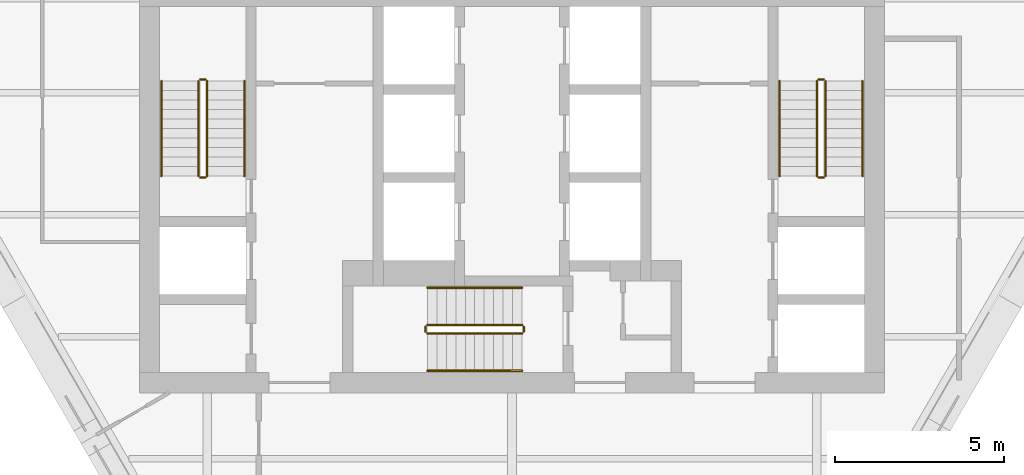
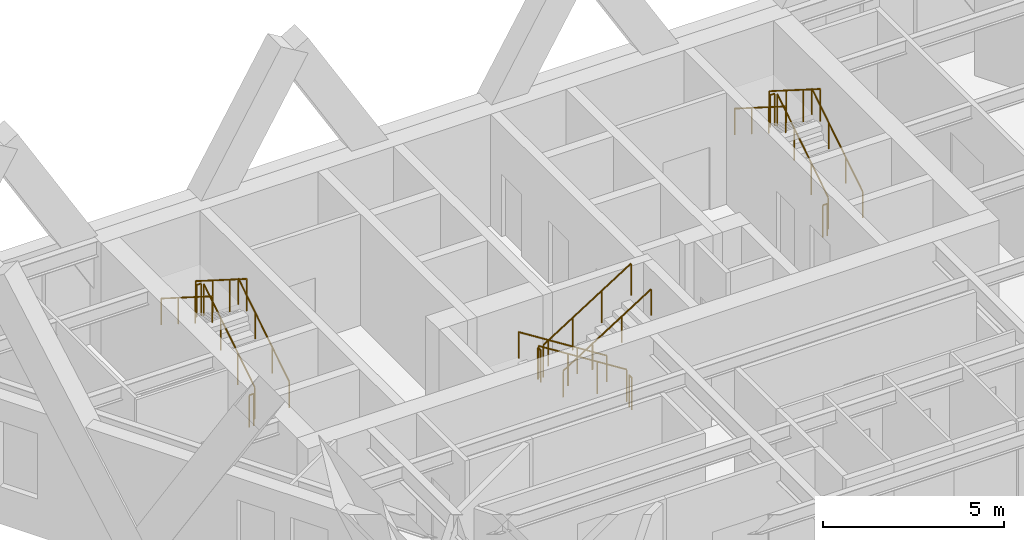
# One storey, part 6 of 6: 18 railings.
"""IFC4 building model written with IfcOpenShell, lengths in metres."""

from ifc_helpers import new_model, si_unit, direction, frame, origin, origin_2d, place, context, subcontext, project, spatial, circle, extrude, material, type_object, element, save


model = new_model("IFC4")

# Units and contexts
model_context = context("Model", 3, precision=1e-05, world=origin(), true_north=direction((0.0, 1.0)))
body_context = subcontext(model_context, "Body", "Model", "MODEL_VIEW")
ifc_project = project(units=[si_unit("LENGTHUNIT", "METRE"), si_unit("AREAUNIT", "SQUARE_METRE"), si_unit("VOLUMEUNIT", "CUBIC_METRE"), si_unit("PLANEANGLEUNIT", "RADIAN"), si_unit("MASSUNIT", "GRAM", prefix="KILO")], contexts=[model_context])

# Site, building, storey
site_placement = place(None, origin())
site = spatial("IfcSite", under=ifc_project, at=site_placement, CompositionType="ELEMENT")
building_placement = place(site_placement, origin())
building = spatial("IfcBuilding", under=site, at=building_placement, Name="Aloe Facet Convention Tower", CompositionType="ELEMENT")
storey_placement = place(building_placement, frame((0.0, 0.0, 238.699951171875)))
storey = spatial("IfcBuildingStorey", under=building, at=storey_placement, Name="L58", CompositionType="ELEMENT", Elevation=238.699951171875)

# Railings
ifc_material_1 = material(Name="Steel S355 balustrade", Category="steel")
railing_type_1 = type_object("IfcRailingType", Name="CR-RL-GUARD", PredefinedType="GUARDRAIL", material=ifc_material_1)
railing_1_placement = place(storey_placement, frame((71.0, 128.949951171875, 0.17724609375)))
element("IfcRailing", 1, at=railing_1_placement, inside=storey, type_object=railing_type_1, Name="L58 ST1 stair guard 1", PredefinedType="GUARDRAIL", context=body_context, shape_type="SweptSolid", body=[
    extrude(circle(Radius=0.02392578125, at=origin_2d()), frame((0.0, 0.0, 1.076171875), z_axis=(0.0, 0.844908973607, 0.534910110503), x_axis=(-1.0, 0.0, 0.0)), (0.0, 0.0, 1.0), 3.31396484375),
    extrude(circle(Radius=0.02099609375, at=origin_2d()), origin(), (0.0, 0.0, 1.0), 1.052001953125),
    extrude(circle(Radius=0.02099609375, at=origin_2d()), frame((0.0, 0.933349609375, 0.5908203125)), (0.0, 0.0, 1.0), 1.052001953125),
    extrude(circle(Radius=0.02099609375, at=origin_2d()), frame((0.0, 1.86669921875, 1.181884765625)), (0.0, 0.0, 1.0), 1.052001953125),
    extrude(circle(Radius=0.02099609375, at=origin_2d()), frame((0.0, 2.800048828125, 1.772705078125)), (0.0, 0.0, 1.0), 1.052001953125),
])
railing_2_placement = place(storey_placement, frame((70.949951171875, 131.800048828125, 1.949951171875)))
element("IfcRailing", 2, at=railing_2_placement, inside=storey, type_object=railing_type_1, Name="L58 ST1 stair guard 2", PredefinedType="GUARDRAIL", context=body_context, shape_type="SweptSolid", body=[
    extrude(circle(Radius=0.02392578125, at=origin_2d()), frame((0.0, 0.0, 1.076171875), z_axis=(-1.0, 0.0, 0.0), x_axis=(0.0, -1.0, 0.0)), (0.0, 0.0, 1.0), 0.14990234375),
    extrude(circle(Radius=0.02099609375, at=origin_2d()), origin(), (0.0, 0.0, 1.0), 1.052001953125),
    extrude(circle(Radius=0.02099609375, at=origin_2d()), frame((-0.14990234375, 0.0, 0.0)), (0.0, 0.0, 1.0), 1.052001953125),
])
railing_3_placement = place(storey_placement, frame((70.75, 131.75, 2.12744140625)))
element("IfcRailing", 3, at=railing_3_placement, inside=storey, type_object=railing_type_1, Name="L58 ST1 stair guard 3", PredefinedType="GUARDRAIL", context=body_context, shape_type="SweptSolid", body=[
    extrude(circle(Radius=0.02392578125, at=origin_2d()), frame((0.0, 0.0, 1.076171875), z_axis=(0.0, -0.844908973607, 0.534910110503), x_axis=(1.0, 0.0, 0.0)), (0.0, 0.0, 1.0), 3.31396484375),
    extrude(circle(Radius=0.02099609375, at=origin_2d()), origin(), (0.0, 0.0, 1.0), 1.052001953125),
    extrude(circle(Radius=0.02099609375, at=origin_2d()), frame((0.0, -0.933349609375, 0.5908203125)), (0.0, 0.0, 1.0), 1.052001953125),
    extrude(circle(Radius=0.02099609375, at=origin_2d()), frame((0.0, -1.86669921875, 1.181884765625)), (0.0, 0.0, 1.0), 1.052001953125),
    extrude(circle(Radius=0.02099609375, at=origin_2d()), frame((0.0, -2.800048828125, 1.772705078125)), (0.0, 0.0, 1.0), 1.052001953125),
])
railing_4_placement = place(storey_placement, frame((70.949951171875, 128.89990234375, 0.0)))
element("IfcRailing", 4, at=railing_4_placement, inside=storey, type_object=railing_type_1, Name="L58 ST1 stair guard 4", PredefinedType="GUARDRAIL", context=body_context, shape_type="SweptSolid", body=[
    extrude(circle(Radius=0.02392578125, at=origin_2d()), frame((0.0, 0.0, 1.076171875), z_axis=(-1.0, 0.0, 0.0), x_axis=(0.0, -1.0, 0.0)), (0.0, 0.0, 1.0), 0.14990234375),
    extrude(circle(Radius=0.02099609375, at=origin_2d()), origin(), (0.0, 0.0, 1.0), 1.052001953125),
    extrude(circle(Radius=0.02099609375, at=origin_2d()), frame((-0.14990234375, 0.0, 0.0)), (0.0, 0.0, 1.0), 1.052001953125),
])
railing_5_placement = place(storey_placement, frame((89.25, 128.949951171875, 0.17724609375)))
element("IfcRailing", 5, at=railing_5_placement, inside=storey, type_object=railing_type_1, Name="L58 ST2 stair guard 1", PredefinedType="GUARDRAIL", context=body_context, shape_type="SweptSolid", body=[
    extrude(circle(Radius=0.02392578125, at=origin_2d()), frame((0.0, 0.0, 1.076171875), z_axis=(0.0, 0.844908973607, 0.534910110503), x_axis=(-1.0, 0.0, 0.0)), (0.0, 0.0, 1.0), 3.31396484375),
    extrude(circle(Radius=0.02099609375, at=origin_2d()), origin(), (0.0, 0.0, 1.0), 1.052001953125),
    extrude(circle(Radius=0.02099609375, at=origin_2d()), frame((0.0, 0.933349609375, 0.5908203125)), (0.0, 0.0, 1.0), 1.052001953125),
    extrude(circle(Radius=0.02099609375, at=origin_2d()), frame((0.0, 1.86669921875, 1.181884765625)), (0.0, 0.0, 1.0), 1.052001953125),
    extrude(circle(Radius=0.02099609375, at=origin_2d()), frame((0.0, 2.800048828125, 1.772705078125)), (0.0, 0.0, 1.0), 1.052001953125),
])
railing_6_placement = place(storey_placement, frame((89.199951171875, 131.800048828125, 1.949951171875)))
element("IfcRailing", 6, at=railing_6_placement, inside=storey, type_object=railing_type_1, Name="L58 ST2 stair guard 2", PredefinedType="GUARDRAIL", context=body_context, shape_type="SweptSolid", body=[
    extrude(circle(Radius=0.02392578125, at=origin_2d()), frame((0.0, 0.0, 1.076171875), z_axis=(-1.0, 0.0, 0.0), x_axis=(0.0, -1.0, 0.0)), (0.0, 0.0, 1.0), 0.14990234375),
    extrude(circle(Radius=0.02099609375, at=origin_2d()), origin(), (0.0, 0.0, 1.0), 1.052001953125),
    extrude(circle(Radius=0.02099609375, at=origin_2d()), frame((-0.14990234375, 0.0, 0.0)), (0.0, 0.0, 1.0), 1.052001953125),
])
railing_7_placement = place(storey_placement, frame((89.0, 131.75, 2.12744140625)))
element("IfcRailing", 7, at=railing_7_placement, inside=storey, type_object=railing_type_1, Name="L58 ST2 stair guard 3", PredefinedType="GUARDRAIL", context=body_context, shape_type="SweptSolid", body=[
    extrude(circle(Radius=0.02392578125, at=origin_2d()), frame((0.0, 0.0, 1.076171875), z_axis=(0.0, -0.844908973607, 0.534910110503), x_axis=(1.0, 0.0, 0.0)), (0.0, 0.0, 1.0), 3.31396484375),
    extrude(circle(Radius=0.02099609375, at=origin_2d()), origin(), (0.0, 0.0, 1.0), 1.052001953125),
    extrude(circle(Radius=0.02099609375, at=origin_2d()), frame((0.0, -0.933349609375, 0.5908203125)), (0.0, 0.0, 1.0), 1.052001953125),
    extrude(circle(Radius=0.02099609375, at=origin_2d()), frame((0.0, -1.86669921875, 1.181884765625)), (0.0, 0.0, 1.0), 1.052001953125),
    extrude(circle(Radius=0.02099609375, at=origin_2d()), frame((0.0, -2.800048828125, 1.772705078125)), (0.0, 0.0, 1.0), 1.052001953125),
])
railing_8_placement = place(storey_placement, frame((89.199951171875, 128.89990234375, 0.0)))
element("IfcRailing", 8, at=railing_8_placement, inside=storey, type_object=railing_type_1, Name="L58 ST2 stair guard 4", PredefinedType="GUARDRAIL", context=body_context, shape_type="SweptSolid", body=[
    extrude(circle(Radius=0.02392578125, at=origin_2d()), frame((0.0, 0.0, 1.076171875), z_axis=(-1.0, 0.0, 0.0), x_axis=(0.0, -1.0, 0.0)), (0.0, 0.0, 1.0), 0.14990234375),
    extrude(circle(Radius=0.02099609375, at=origin_2d()), origin(), (0.0, 0.0, 1.0), 1.052001953125),
    extrude(circle(Radius=0.02099609375, at=origin_2d()), frame((-0.14990234375, 0.0, 0.0)), (0.0, 0.0, 1.0), 1.052001953125),
])
railing_9_placement = place(storey_placement, frame((80.300048828125, 124.550048828125, 0.17724609375)))
element("IfcRailing", 9, at=railing_9_placement, inside=storey, type_object=railing_type_1, Name="L58 ST3 stair guard 1", PredefinedType="GUARDRAIL", context=body_context, shape_type="SweptSolid", body=[
    extrude(circle(Radius=0.02392578125, at=origin_2d()), frame((0.0, 0.0, 1.076171875), z_axis=(-0.844908973607, 0.0, 0.534910110503), x_axis=(0.0, -1.0, 0.0)), (0.0, 0.0, 1.0), 3.31396484375),
    extrude(circle(Radius=0.02099609375, at=origin_2d()), origin(), (0.0, 0.0, 1.0), 1.052001953125),
    extrude(circle(Radius=0.02099609375, at=origin_2d()), frame((-0.933349609375, 0.0, 0.5908203125)), (0.0, 0.0, 1.0), 1.052001953125),
    extrude(circle(Radius=0.02099609375, at=origin_2d()), frame((-1.86669921875, 0.0, 1.181884765625)), (0.0, 0.0, 1.0), 1.052001953125),
    extrude(circle(Radius=0.02099609375, at=origin_2d()), frame((-2.800048828125, 0.0, 1.772705078125)), (0.0, 0.0, 1.0), 1.052001953125),
])
railing_10_placement = place(storey_placement, frame((77.449951171875, 124.5, 1.949951171875)))
element("IfcRailing", 10, at=railing_10_placement, inside=storey, type_object=railing_type_1, Name="L58 ST3 stair guard 2", PredefinedType="GUARDRAIL", context=body_context, shape_type="SweptSolid", body=[
    extrude(circle(Radius=0.02392578125, at=origin_2d()), frame((0.0, 0.0, 1.076171875), z_axis=(0.0, -1.0, 0.0), x_axis=(1.0, 0.0, 0.0)), (0.0, 0.0, 1.0), 0.14990234375),
    extrude(circle(Radius=0.02099609375, at=origin_2d()), origin(), (0.0, 0.0, 1.0), 1.052001953125),
    extrude(circle(Radius=0.02099609375, at=origin_2d()), frame((0.0, -0.14990234375, 0.0)), (0.0, 0.0, 1.0), 1.052001953125),
])
railing_11_placement = place(storey_placement, frame((77.5, 124.300048828125, 2.12744140625)))
element("IfcRailing", 11, at=railing_11_placement, inside=storey, type_object=railing_type_1, Name="L58 ST3 stair guard 3", PredefinedType="GUARDRAIL", context=body_context, shape_type="SweptSolid", body=[
    extrude(circle(Radius=0.02392578125, at=origin_2d()), frame((0.0, 0.0, 1.076171875), z_axis=(0.844908973607, 0.0, 0.534910110503), x_axis=(0.0, 1.0, 0.0)), (0.0, 0.0, 1.0), 3.31396484375),
    extrude(circle(Radius=0.02099609375, at=origin_2d()), origin(), (0.0, 0.0, 1.0), 1.052001953125),
    extrude(circle(Radius=0.02099609375, at=origin_2d()), frame((0.933349609375, 0.0, 0.5908203125)), (0.0, 0.0, 1.0), 1.052001953125),
    extrude(circle(Radius=0.02099609375, at=origin_2d()), frame((1.86669921875, 0.0, 1.181884765625)), (0.0, 0.0, 1.0), 1.052001953125),
    extrude(circle(Radius=0.02099609375, at=origin_2d()), frame((2.800048828125, 0.0, 1.772705078125)), (0.0, 0.0, 1.0), 1.052001953125),
])
railing_12_placement = place(storey_placement, frame((80.35009765625, 124.5, 0.0)))
element("IfcRailing", 12, at=railing_12_placement, inside=storey, type_object=railing_type_1, Name="L58 ST3 stair guard 4", PredefinedType="GUARDRAIL", context=body_context, shape_type="SweptSolid", body=[
    extrude(circle(Radius=0.02392578125, at=origin_2d()), frame((0.0, 0.0, 1.076171875), z_axis=(0.0, -1.0, 0.0), x_axis=(1.0, 0.0, 0.0)), (0.0, 0.0, 1.0), 0.14990234375),
    extrude(circle(Radius=0.02099609375, at=origin_2d()), origin(), (0.0, 0.0, 1.0), 1.052001953125),
    extrude(circle(Radius=0.02099609375, at=origin_2d()), frame((0.0, -0.14990234375, 0.0)), (0.0, 0.0, 1.0), 1.052001953125),
])
ifc_material_2 = material(Name="Steel S355 handrail", Category="steel")
railing_type_2 = type_object("IfcRailingType", Name="CR-RL-HAND", PredefinedType="HANDRAIL", material=ifc_material_2)
railing_13_placement = place(storey_placement, frame((72.10009765625, 128.949951171875, 0.17724609375)))
element("IfcRailing", 13, at=railing_13_placement, inside=storey, type_object=railing_type_2, Name="L58 ST1 stair handrail 1", PredefinedType="HANDRAIL", context=body_context, shape_type="SweptSolid", body=[
    extrude(circle(Radius=0.02392578125, at=origin_2d()), frame((0.0, 0.0, 0.8759765625), z_axis=(0.0, 0.844908973607, 0.534910110503), x_axis=(-1.0, 0.0, 0.0)), (0.0, 0.0, 1.0), 3.31396484375),
    extrude(circle(Radius=0.02099609375, at=origin_2d()), origin(), (0.0, 0.0, 1.0), 0.851806640625),
    extrude(circle(Radius=0.02099609375, at=origin_2d()), frame((0.0, 0.933349609375, 0.5908203125)), (0.0, 0.0, 1.0), 0.851806640625),
    extrude(circle(Radius=0.02099609375, at=origin_2d()), frame((0.0, 1.86669921875, 1.181884765625)), (0.0, 0.0, 1.0), 0.851806640625),
    extrude(circle(Radius=0.02099609375, at=origin_2d()), frame((0.0, 2.800048828125, 1.772705078125)), (0.0, 0.0, 1.0), 0.851806640625),
])
railing_14_placement = place(storey_placement, frame((69.64990234375, 131.75, 2.12744140625)))
element("IfcRailing", 14, at=railing_14_placement, inside=storey, type_object=railing_type_2, Name="L58 ST1 stair handrail 2", PredefinedType="HANDRAIL", context=body_context, shape_type="SweptSolid", body=[
    extrude(circle(Radius=0.02392578125, at=origin_2d()), frame((0.0, 0.0, 0.8759765625), z_axis=(0.0, -0.844908973607, 0.534910110503), x_axis=(1.0, 0.0, 0.0)), (0.0, 0.0, 1.0), 3.31396484375),
    extrude(circle(Radius=0.02099609375, at=origin_2d()), origin(), (0.0, 0.0, 1.0), 0.851806640625),
    extrude(circle(Radius=0.02099609375, at=origin_2d()), frame((0.0, -0.933349609375, 0.5908203125)), (0.0, 0.0, 1.0), 0.851806640625),
    extrude(circle(Radius=0.02099609375, at=origin_2d()), frame((0.0, -1.86669921875, 1.181884765625)), (0.0, 0.0, 1.0), 0.851806640625),
    extrude(circle(Radius=0.02099609375, at=origin_2d()), frame((0.0, -2.800048828125, 1.772705078125)), (0.0, 0.0, 1.0), 0.851806640625),
])
railing_15_placement = place(storey_placement, frame((90.35009765625, 128.949951171875, 0.17724609375)))
element("IfcRailing", 15, at=railing_15_placement, inside=storey, type_object=railing_type_2, Name="L58 ST2 stair handrail 1", PredefinedType="HANDRAIL", context=body_context, shape_type="SweptSolid", body=[
    extrude(circle(Radius=0.02392578125, at=origin_2d()), frame((0.0, 0.0, 0.8759765625), z_axis=(0.0, 0.844908973607, 0.534910110503), x_axis=(-1.0, 0.0, 0.0)), (0.0, 0.0, 1.0), 3.31396484375),
    extrude(circle(Radius=0.02099609375, at=origin_2d()), origin(), (0.0, 0.0, 1.0), 0.851806640625),
    extrude(circle(Radius=0.02099609375, at=origin_2d()), frame((0.0, 0.933349609375, 0.5908203125)), (0.0, 0.0, 1.0), 0.851806640625),
    extrude(circle(Radius=0.02099609375, at=origin_2d()), frame((0.0, 1.86669921875, 1.181884765625)), (0.0, 0.0, 1.0), 0.851806640625),
    extrude(circle(Radius=0.02099609375, at=origin_2d()), frame((0.0, 2.800048828125, 1.772705078125)), (0.0, 0.0, 1.0), 0.851806640625),
])
railing_16_placement = place(storey_placement, frame((87.89990234375, 131.75, 2.12744140625)))
element("IfcRailing", 16, at=railing_16_placement, inside=storey, type_object=railing_type_2, Name="L58 ST2 stair handrail 2", PredefinedType="HANDRAIL", context=body_context, shape_type="SweptSolid", body=[
    extrude(circle(Radius=0.02392578125, at=origin_2d()), frame((0.0, 0.0, 0.8759765625), z_axis=(0.0, -0.844908973607, 0.534910110503), x_axis=(1.0, 0.0, 0.0)), (0.0, 0.0, 1.0), 3.31396484375),
    extrude(circle(Radius=0.02099609375, at=origin_2d()), origin(), (0.0, 0.0, 1.0), 0.851806640625),
    extrude(circle(Radius=0.02099609375, at=origin_2d()), frame((0.0, -0.933349609375, 0.5908203125)), (0.0, 0.0, 1.0), 0.851806640625),
    extrude(circle(Radius=0.02099609375, at=origin_2d()), frame((0.0, -1.86669921875, 1.181884765625)), (0.0, 0.0, 1.0), 0.851806640625),
    extrude(circle(Radius=0.02099609375, at=origin_2d()), frame((0.0, -2.800048828125, 1.772705078125)), (0.0, 0.0, 1.0), 0.851806640625),
])
railing_17_placement = place(storey_placement, frame((80.300048828125, 125.64990234375, 0.17724609375)))
element("IfcRailing", 17, at=railing_17_placement, inside=storey, type_object=railing_type_2, Name="L58 ST3 stair handrail 1", PredefinedType="HANDRAIL", context=body_context, shape_type="SweptSolid", body=[
    extrude(circle(Radius=0.02392578125, at=origin_2d()), frame((0.0, 0.0, 0.8759765625), z_axis=(-0.844908973607, 0.0, 0.534910110503), x_axis=(0.0, -1.0, 0.0)), (0.0, 0.0, 1.0), 3.31396484375),
    extrude(circle(Radius=0.02099609375, at=origin_2d()), origin(), (0.0, 0.0, 1.0), 0.851806640625),
    extrude(circle(Radius=0.02099609375, at=origin_2d()), frame((-0.933349609375, 0.0, 0.5908203125)), (0.0, 0.0, 1.0), 0.851806640625),
    extrude(circle(Radius=0.02099609375, at=origin_2d()), frame((-1.86669921875, 0.0, 1.181884765625)), (0.0, 0.0, 1.0), 0.851806640625),
    extrude(circle(Radius=0.02099609375, at=origin_2d()), frame((-2.800048828125, 0.0, 1.772705078125)), (0.0, 0.0, 1.0), 0.851806640625),
])
railing_18_placement = place(storey_placement, frame((77.5, 123.199951171875, 2.12744140625)))
element("IfcRailing", 18, at=railing_18_placement, inside=storey, type_object=railing_type_2, Name="L58 ST3 stair handrail 2", PredefinedType="HANDRAIL", context=body_context, shape_type="SweptSolid", body=[
    extrude(circle(Radius=0.02392578125, at=origin_2d()), frame((0.0, 0.0, 0.8759765625), z_axis=(0.844908973607, 0.0, 0.534910110503), x_axis=(0.0, 1.0, 0.0)), (0.0, 0.0, 1.0), 3.31396484375),
    extrude(circle(Radius=0.02099609375, at=origin_2d()), origin(), (0.0, 0.0, 1.0), 0.851806640625),
    extrude(circle(Radius=0.02099609375, at=origin_2d()), frame((0.933349609375, 0.0, 0.5908203125)), (0.0, 0.0, 1.0), 0.851806640625),
    extrude(circle(Radius=0.02099609375, at=origin_2d()), frame((1.86669921875, 0.0, 1.181884765625)), (0.0, 0.0, 1.0), 0.851806640625),
    extrude(circle(Radius=0.02099609375, at=origin_2d()), frame((2.800048828125, 0.0, 1.772705078125)), (0.0, 0.0, 1.0), 0.851806640625),
])

save(model, "model.ifc")
